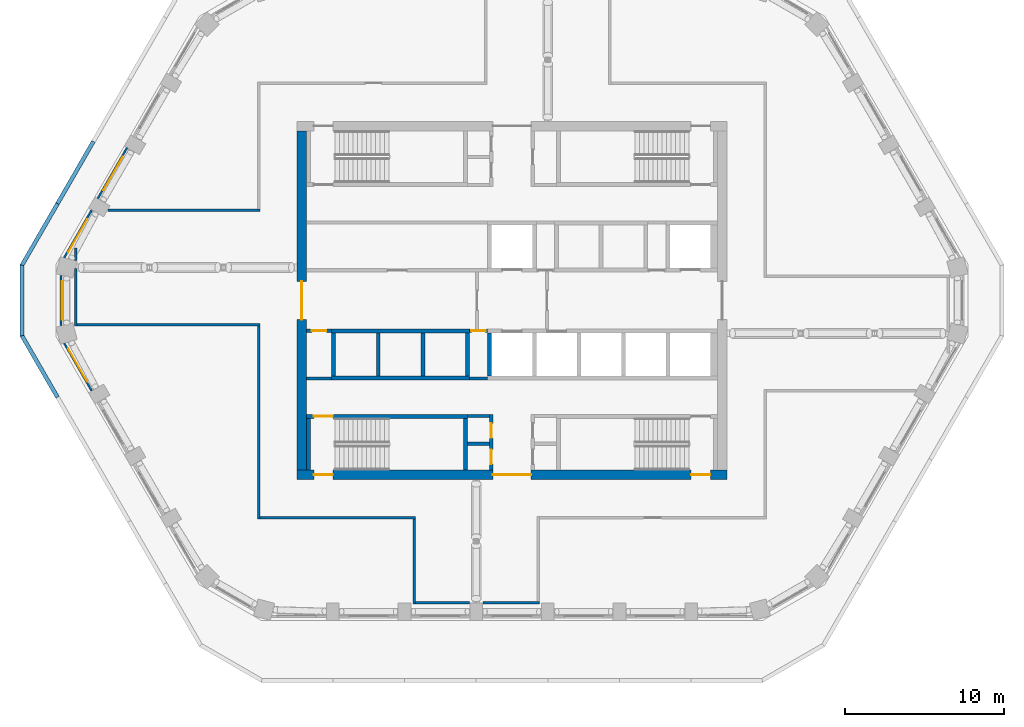
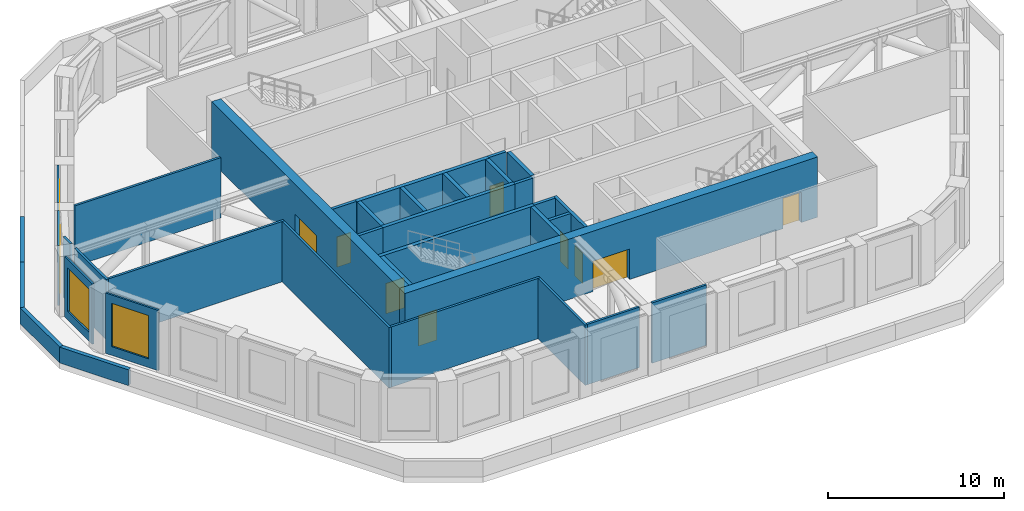
# One storey, part 6 of 15: 36 walls, 9 doors, 4 windows, 13 openings.
"""IFC4 building model written with IfcOpenShell, lengths in metres."""

from ifc_helpers import new_model, si_unit, direction, frame, frame_2d, origin, place, context, subcontext, project, spatial, polyline, rectangle, outline, extrude, material, layer, layer_set, type_object, element, fill, save


model = new_model("IFC4")

# Units and contexts
model_context = context("Model", 3, precision=1e-05, world=origin(), true_north=direction((0.0, 1.0)))
body_context = subcontext(model_context, "Body", "Model", "MODEL_VIEW")
ifc_project = project(units=[si_unit("LENGTHUNIT", "METRE"), si_unit("AREAUNIT", "SQUARE_METRE"), si_unit("VOLUMEUNIT", "CUBIC_METRE"), si_unit("PLANEANGLEUNIT", "RADIAN"), si_unit("MASSUNIT", "GRAM", prefix="KILO")], contexts=[model_context])

# Site, building, storey
site_placement = place(None, origin())
site = spatial("IfcSite", under=ifc_project, at=site_placement, CompositionType="ELEMENT")
building_placement = place(site_placement, origin())
building = spatial("IfcBuilding", under=site, at=building_placement, Name="Dhurran Vertical Campus", CompositionType="ELEMENT")
storey_placement = place(building_placement, frame((0.0, 0.0, 230.699951171875)))
storey = spatial("IfcBuildingStorey", under=building, at=storey_placement, Name="L57 Plant", CompositionType="ELEMENT", Elevation=230.699951171875)

# Wall, opening, window
ifc_material_1 = material(Name="Precast concrete C50/60", Category="concrete")
ifc_layer_1 = layer(ifc_material_1, 0.1201171875)
ifc_layer_set_1 = layer_set([ifc_layer_1], Name="Precast concrete C50/60")
wall_type_1 = type_object("IfcWallType", Name="Precast louvre-bay panel 120", PredefinedType="SOLIDWALL", material=ifc_layer_set_1)
wall_1_placement = place(storey_placement, frame((-24.169921875, 9.594970703125, 0.0), z_axis=(0.0, 0.0, 1.0), x_axis=(-0.500029062817, -0.866008623709, 0.0)))
wall_1 = element("IfcWall", 1, at=wall_1_placement, inside=storey, type_object=wall_type_1, Name="EW4 L57.28", PredefinedType="SOLIDWALL", context=body_context, shape_type="SweptSolid", body=[
    extrude(rectangle(XDim=3.698974609375, YDim=0.1201171875, at=frame_2d((1.849609375, 0.0))), origin(), (0.0, 0.0, 1.0), 4.175048828125),
])
opening_1_placement = place(wall_1_placement, frame((0.6494140625, 0.0, 0.60009765625)))
opening_1 = element("IfcOpeningElement", 2, at=opening_1_placement, cuts=wall_1, Name="Opening WT4", PredefinedType="OPENING", context=body_context, shape_type="SweptSolid", body=[
    extrude(rectangle(XDim=2.39990234375, YDim=3.0, at=frame_2d((1.199951171875, 1.5))), frame((0.0, 0.070068359375, 0.0), z_axis=(0.0, -1.0, 0.0), x_axis=(1.0, 0.0, 0.0)), (0.0, 0.0, 1.0), 0.14013671875),
])
ifc_material_2 = material(Name="Aluminium louvre", Category="aluminium")
window_type = type_object("IfcWindowType", Name="Louvred plant vent 2400 x 3000", PartitioningType="SINGLE_PANEL", PredefinedType="WINDOW", material=ifc_material_2)
window_1_placement = place(opening_1_placement, origin())
window_1 = element("IfcWindow", 3, at=window_1_placement, inside=storey, type_object=window_type, Name="WT4 L57.28", OverallHeight=3.0, OverallWidth=2.39990234375, PartitioningType="SINGLE_PANEL", PredefinedType="WINDOW", context=body_context, shape_type="SweptSolid", body=[
    extrude(rectangle(XDim=2.39990234375, YDim=3.0, at=frame_2d((1.199951171875, 1.5))), frame((0.0, 0.06005859375, 0.0), z_axis=(0.0, -1.0, 0.0), x_axis=(1.0, 0.0, 0.0)), (0.0, 0.0, 1.0), 0.02001953125),
])
fill(opening_1, window_1)

wall_2_placement = place(storey_placement, frame((-26.3916015625, 5.681396484375, 0.0), z_axis=(0.0, 0.0, 1.0), x_axis=(-0.500020560727, -0.866013532718, 0.0)))
wall_2 = element("IfcWall", 4, at=wall_2_placement, inside=storey, type_object=wall_type_1, Name="EW4 L57.29", PredefinedType="SOLIDWALL", context=body_context, shape_type="SweptSolid", body=[
    extrude(rectangle(XDim=3.449951171875, YDim=0.1201171875, at=frame_2d((1.72509765625, 0.0))), origin(), (0.0, 0.0, 1.0), 4.175048828125),
])
opening_2_placement = place(wall_2_placement, frame((0.6494140625, 0.0, 0.60009765625)))
opening_2 = element("IfcOpeningElement", 5, at=opening_2_placement, cuts=wall_2, Name="Opening WT4", PredefinedType="OPENING", context=body_context, shape_type="SweptSolid", body=[
    extrude(rectangle(XDim=2.39990234375, YDim=3.0, at=frame_2d((1.199951171875, 1.5))), frame((0.0, 0.070068359375, 0.0), z_axis=(0.0, -1.0, 0.0), x_axis=(1.0, 0.0, 0.0)), (0.0, 0.0, 1.0), 0.14013671875),
])
window_2_placement = place(opening_2_placement, origin())
window_2 = element("IfcWindow", 6, at=window_2_placement, inside=storey, type_object=window_type, Name="WT4 L57.29", OverallHeight=3.0, OverallWidth=2.39990234375, PartitioningType="SINGLE_PANEL", PredefinedType="WINDOW", context=body_context, shape_type="SweptSolid", body=[
    extrude(rectangle(XDim=2.39990234375, YDim=3.0, at=frame_2d((1.199951171875, 1.5))), frame((0.0, 0.06005859375, 0.0), z_axis=(0.0, -1.0, 0.0), x_axis=(1.0, 0.0, 0.0)), (0.0, 0.0, 1.0), 0.02001953125),
])
fill(opening_2, window_2)

wall_3_placement = place(storey_placement, frame((-28.318603515625, 1.576416015625, 0.0), z_axis=(0.0, 0.0, 1.0), x_axis=(0.0, -1.0, 0.0)))
wall_3 = element("IfcWall", 7, at=wall_3_placement, inside=storey, type_object=wall_type_1, Name="EW4 L57.30", PredefinedType="SOLIDWALL", context=body_context, shape_type="SweptSolid", body=[
    extrude(rectangle(XDim=3.15283203125, YDim=0.1201171875, at=frame_2d((1.576416015625, 0.0))), origin(), (0.0, 0.0, 1.0), 4.175048828125),
])
opening_3_placement = place(wall_3_placement, frame((0.376220703125, 0.0, 0.60009765625)))
opening_3 = element("IfcOpeningElement", 8, at=opening_3_placement, cuts=wall_3, Name="Opening WT4", PredefinedType="OPENING", context=body_context, shape_type="SweptSolid", body=[
    extrude(rectangle(XDim=2.39990234375, YDim=3.0, at=frame_2d((1.199951171875, 1.5))), frame((0.0, 0.070068359375, 0.0), z_axis=(0.0, -1.0, 0.0), x_axis=(1.0, 0.0, 0.0)), (0.0, 0.0, 1.0), 0.14013671875),
])
window_3_placement = place(opening_3_placement, origin())
window_3 = element("IfcWindow", 9, at=window_3_placement, inside=storey, type_object=window_type, Name="WT4 L57.30", OverallHeight=3.0, OverallWidth=2.39990234375, PartitioningType="SINGLE_PANEL", PredefinedType="WINDOW", context=body_context, shape_type="SweptSolid", body=[
    extrude(rectangle(XDim=2.39990234375, YDim=3.0, at=frame_2d((1.199951171875, 1.5))), frame((0.0, 0.06005859375, 0.0), z_axis=(0.0, -1.0, 0.0), x_axis=(1.0, 0.0, 0.0)), (0.0, 0.0, 1.0), 0.02001953125),
])
fill(opening_3, window_3)

wall_4_placement = place(storey_placement, frame((-28.11669921875, -2.693603515625, 0.0), z_axis=(0.0, 0.0, 1.0), x_axis=(0.500020560727, -0.866013532718, 0.0)))
wall_4 = element("IfcWall", 10, at=wall_4_placement, inside=storey, type_object=wall_type_1, Name="EW4 L57.31", PredefinedType="SOLIDWALL", context=body_context, shape_type="SweptSolid", body=[
    extrude(rectangle(XDim=3.449951171875, YDim=0.1201171875, at=frame_2d((1.72509765625, 0.0))), origin(), (0.0, 0.0, 1.0), 4.175048828125),
])
opening_4_placement = place(wall_4_placement, frame((0.400634765625, 0.0, 0.60009765625)))
opening_4 = element("IfcOpeningElement", 11, at=opening_4_placement, cuts=wall_4, Name="Opening WT4", PredefinedType="OPENING", context=body_context, shape_type="SweptSolid", body=[
    extrude(rectangle(XDim=2.39990234375, YDim=3.0, at=frame_2d((1.199951171875, 1.5))), frame((0.0, 0.070068359375, 0.0), z_axis=(0.0, -1.0, 0.0), x_axis=(1.0, 0.0, 0.0)), (0.0, 0.0, 1.0), 0.14013671875),
])
window_4_placement = place(opening_4_placement, origin())
window_4 = element("IfcWindow", 12, at=window_4_placement, inside=storey, type_object=window_type, Name="WT4 L57.31", OverallHeight=3.0, OverallWidth=2.39990234375, PartitioningType="SINGLE_PANEL", PredefinedType="WINDOW", context=body_context, shape_type="SweptSolid", body=[
    extrude(rectangle(XDim=2.39990234375, YDim=3.0, at=frame_2d((1.199951171875, 1.5))), frame((0.0, 0.06005859375, 0.0), z_axis=(0.0, -1.0, 0.0), x_axis=(1.0, 0.0, 0.0)), (0.0, 0.0, 1.0), 0.02001953125),
])
fill(opening_4, window_4)

# Walls
ifc_material_3 = material(Name="Precast concrete C50/60", Category="concrete")
ifc_layer_2 = layer(ifc_material_3, 0.25)
ifc_layer_set_2 = layer_set([ifc_layer_2], Name="Precast concrete C50/60")
wall_type_2 = type_object("IfcWallType", Name="Precast parapet 250", PredefinedType="PARAPET", material=ifc_layer_set_2)
wall_5_placement = place(storey_placement, origin())
element("IfcWall", 13, at=wall_5_placement, inside=storey, type_object=wall_type_2, Name="PW1 L57.31", PredefinedType="PARAPET", context=body_context, shape_type="SweptSolid", body=[
    extrude(outline(polyline([(-26.397216796875, 10.044189453125), (-28.647216796875, 6.147216796875), (-28.4306640625, 6.022216796875), (-26.1806640625, 9.919189453125), (-26.397216796875, 10.044189453125)])), origin(), (0.0, 0.0, 1.0), 1.10009765625),
])
wall_6_placement = place(storey_placement, origin())
element("IfcWall", 14, at=wall_6_placement, inside=storey, type_object=wall_type_2, Name="PW1 L57.32", PredefinedType="PARAPET", context=body_context, shape_type="SweptSolid", body=[
    extrude(outline(polyline([(-28.647216796875, 6.147216796875), (-30.897216796875, 2.25), (-30.647216796875, 2.18310546875), (-28.4306640625, 6.022216796875), (-28.647216796875, 6.147216796875)])), origin(), (0.0, 0.0, 1.0), 1.10009765625),
])
wall_7_placement = place(storey_placement, origin())
element("IfcWall", 15, at=wall_7_placement, inside=storey, type_object=wall_type_2, Name="PW1 L57.33", PredefinedType="PARAPET", context=body_context, shape_type="SweptSolid", body=[
    extrude(outline(polyline([(-30.897216796875, 2.25), (-30.897216796875, -2.25), (-30.647216796875, -2.18310546875), (-30.647216796875, 2.18310546875), (-30.897216796875, 2.25)])), origin(), (0.0, 0.0, 1.0), 1.10009765625),
])
wall_8_placement = place(storey_placement, origin())
element("IfcWall", 16, at=wall_8_placement, inside=storey, type_object=wall_type_2, Name="PW1 L57.34", PredefinedType="PARAPET", context=body_context, shape_type="SweptSolid", body=[
    extrude(outline(polyline([(-30.897216796875, -2.25), (-28.647216796875, -6.147216796875), (-28.4306640625, -6.022216796875), (-30.647216796875, -2.18310546875), (-30.897216796875, -2.25)])), origin(), (0.0, 0.0, 1.0), 1.10009765625),
])

# Wall, openings, doors
ifc_material_4 = material(Name="Concrete C50/60", Category="concrete")
ifc_layer_3 = layer(ifc_material_4, 0.60009765625)
ifc_layer_set_3 = layer_set([ifc_layer_3], Name="Concrete C50/60")
wall_type_3 = type_object("IfcWallType", Name="co-CORE-WALL-C2-600", PredefinedType="SHEAR", material=ifc_layer_set_3)
wall_9_placement = place(storey_placement, frame((-13.5, -10.949951171875, 0.0), z_axis=(0.0, 0.0, 1.0), x_axis=(1.0, 0.0, 0.0)))
wall_9 = element("IfcWall", 17, at=wall_9_placement, inside=storey, type_object=wall_type_3, Name="Core wall S L57", PredefinedType="SHEAR", context=body_context, shape_type="SweptSolid", body=[
    extrude(rectangle(XDim=27.0, YDim=0.60009765625, at=frame_2d((13.5, 0.0))), origin(), (0.0, 0.0, 1.0), 4.175048828125),
])
opening_5_placement = place(wall_9_placement, frame((12.300048828125, 0.0, 0.0)))
opening_5 = element("IfcOpeningElement", 18, at=opening_5_placement, cuts=wall_9, Name="Opening CV2", PredefinedType="OPENING", context=body_context, shape_type="SweptSolid", body=[
    extrude(rectangle(XDim=2.39990234375, YDim=2.10009765625, at=frame_2d((1.199951171875, 1.050048828125))), frame((0.0, 0.31005859375, 0.0), z_axis=(0.0, -1.0, 0.0), x_axis=(1.0, 0.0, 0.0)), (0.0, 0.0, 1.0), 0.6201171875),
])
opening_6_placement = place(wall_9_placement, frame((1.050048828125, 0.0, 0.0)))
opening_6 = element("IfcOpeningElement", 19, at=opening_6_placement, cuts=wall_9, Name="Opening XD3", PredefinedType="OPENING", context=body_context, shape_type="SweptSolid", body=[
    extrude(rectangle(XDim=1.199951171875, YDim=2.10009765625, at=frame_2d((0.60009765625, 1.050048828125))), frame((0.0, 0.31005859375, 0.0), z_axis=(0.0, -1.0, 0.0), x_axis=(1.0, 0.0, 0.0)), (0.0, 0.0, 1.0), 0.6201171875),
])
opening_7_placement = place(wall_9_placement, frame((24.75, 0.0, 0.0)))
opening_7 = element("IfcOpeningElement", 20, at=opening_7_placement, cuts=wall_9, Name="Opening XD4", PredefinedType="OPENING", context=body_context, shape_type="SweptSolid", body=[
    extrude(rectangle(XDim=1.199951171875, YDim=2.10009765625, at=frame_2d((0.60009765625, 1.050048828125))), frame((0.0, 0.31005859375, 0.0), z_axis=(0.0, -1.0, 0.0), x_axis=(1.0, 0.0, 0.0)), (0.0, 0.0, 1.0), 0.6201171875),
])
ifc_material_5 = material(Name="Fire-rated glazed door set")
door_type_1 = type_object("IfcDoorType", Name="co-D-LOBBY 2400x2100", OperationType="DOUBLE_DOOR_DOUBLE_SWING", PredefinedType="DOOR", material=ifc_material_5)
door_1_placement = place(opening_5_placement, origin())
door_1 = element("IfcDoor", 21, at=door_1_placement, inside=storey, type_object=door_type_1, Name="Core vestibule door S L57", OperationType="DOUBLE_DOOR_DOUBLE_SWING", OverallHeight=2.10009765625, OverallWidth=2.39990234375, PredefinedType="DOOR", context=body_context, shape_type="SweptSolid", body=[
    extrude(rectangle(XDim=2.39990234375, YDim=2.10009765625, at=frame_2d((1.199951171875, 1.050048828125))), frame((0.0, 0.02490234375, 0.0), z_axis=(0.0, -1.0, 0.0), x_axis=(1.0, 0.0, 0.0)), (0.0, 0.0, 1.0), 0.050048828125),
])
fill(opening_5, door_1)
ifc_material_6 = material(Name="Fire-rated steel door set", Category="steel")
door_type_2 = type_object("IfcDoorType", Name="co-D-STAIR-EXIT 1200x2100", OperationType="SINGLE_SWING_RIGHT", PredefinedType="DOOR", material=ifc_material_6)
door_2_placement = place(opening_6_placement, origin())
door_2 = element("IfcDoor", 22, at=door_2_placement, inside=storey, type_object=door_type_2, Name="Stair ST3 exit door L57", OperationType="SINGLE_SWING_RIGHT", OverallHeight=2.10009765625, OverallWidth=1.199951171875, PredefinedType="DOOR", context=body_context, shape_type="SweptSolid", body=[
    extrude(rectangle(XDim=1.199951171875, YDim=2.10009765625, at=frame_2d((0.60009765625, 1.050048828125))), frame((0.0, 0.02490234375, 0.0), z_axis=(0.0, -1.0, 0.0), x_axis=(1.0, 0.0, 0.0)), (0.0, 0.0, 1.0), 0.050048828125),
])
fill(opening_6, door_2)
door_3_placement = place(opening_7_placement, origin())
door_3 = element("IfcDoor", 23, at=door_3_placement, inside=storey, type_object=door_type_2, Name="Stair ST4 exit door L57", OperationType="SINGLE_SWING_RIGHT", OverallHeight=2.10009765625, OverallWidth=1.199951171875, PredefinedType="DOOR", context=body_context, shape_type="SweptSolid", body=[
    extrude(rectangle(XDim=1.199951171875, YDim=2.10009765625, at=frame_2d((0.60009765625, 1.050048828125))), frame((0.0, 0.02490234375, 0.0), z_axis=(0.0, -1.0, 0.0), x_axis=(1.0, 0.0, 0.0)), (0.0, 0.0, 1.0), 0.050048828125),
])
fill(opening_7, door_3)

# Wall, opening, door
wall_10_placement = place(storey_placement, frame((-13.199951171875, -10.64990234375, 0.0), z_axis=(0.0, 0.0, 1.0), x_axis=(0.0, 1.0, 0.0)))
wall_10 = element("IfcWall", 24, at=wall_10_placement, inside=storey, type_object=wall_type_3, Name="Core wall W L57", PredefinedType="SHEAR", context=body_context, shape_type="SweptSolid", body=[
    extrude(rectangle(XDim=21.2998046875, YDim=0.60009765625, at=frame_2d((10.64990234375, 0.0))), origin(), (0.0, 0.0, 1.0), 4.175048828125),
])
opening_8_placement = place(wall_10_placement, frame((9.449951171875, 0.0, 0.0)))
opening_8 = element("IfcOpeningElement", 25, at=opening_8_placement, cuts=wall_10, Name="Opening CL1", PredefinedType="OPENING", context=body_context, shape_type="SweptSolid", body=[
    extrude(rectangle(XDim=2.39990234375, YDim=2.10009765625, at=frame_2d((1.199951171875, 1.050048828125))), frame((0.0, 0.31005859375, 0.0), z_axis=(0.0, -1.0, 0.0), x_axis=(1.0, 0.0, 0.0)), (0.0, 0.0, 1.0), 0.6201171875),
])
door_4_placement = place(opening_8_placement, origin())
door_4 = element("IfcDoor", 26, at=door_4_placement, inside=storey, type_object=door_type_1, Name="Lift lobby door W L57", OperationType="DOUBLE_DOOR_DOUBLE_SWING", OverallHeight=2.10009765625, OverallWidth=2.39990234375, PredefinedType="DOOR", context=body_context, shape_type="SweptSolid", body=[
    extrude(rectangle(XDim=2.39990234375, YDim=2.10009765625, at=frame_2d((1.199951171875, 1.050048828125))), frame((0.0, 0.02490234375, 0.0), z_axis=(0.0, -1.0, 0.0), x_axis=(1.0, 0.0, 0.0)), (0.0, 0.0, 1.0), 0.050048828125),
])
fill(opening_8, door_4)

# Walls
ifc_material_7 = material(Name="Fire-rated masonry blockwork", Category="masonry")
ifc_layer_4 = layer(ifc_material_7, 0.199951171875)
ifc_layer_set_4 = layer_set([ifc_layer_4], Name="Fire-rated masonry blockwork")
wall_type_4 = type_object("IfcWallType", Name="co-FIRE-PARTITION-200", PredefinedType="PARTITIONING", material=ifc_layer_set_4)
for number, where, z_axis, x_axis, name in (
    (27, (-2.800048828125, -7.25, 0.0), (0.0, 0.0, 1.0), (1.0, 0.0, 0.0), "Core partition sl-SW-S L57"),
    (28, (-2.800048828125, -9.0, 0.0), (0.0, 0.0, 1.0), (1.0, 0.0, 0.0), "Core partition sl-SW-cut0 L57"),
):
    element("IfcWall", number, at=place(storey_placement, frame(where, z_axis=z_axis, x_axis=x_axis)), inside=storey, type_object=wall_type_4, Name=name, PredefinedType="PARTITIONING", context=body_context, shape_type="SweptSolid", body=[
        extrude(rectangle(XDim=1.400146484375, YDim=0.199951171875, at=frame_2d((0.7001953125, 0.0))), origin(), (0.0, 0.0, 1.0), 4.175048828125),
    ])

# Wall, openings, doors
wall_11_placement = place(storey_placement, frame((-1.300048828125, -10.64990234375, 0.0), z_axis=(0.0, 0.0, 1.0), x_axis=(0.0, 1.0, 0.0)))
wall_11 = element("IfcWall", 29, at=wall_11_placement, inside=storey, type_object=wall_type_4, Name="Core partition vest-SW L57", PredefinedType="PARTITIONING", context=body_context, shape_type="SweptSolid", body=[
    extrude(rectangle(XDim=3.5, YDim=0.199951171875, at=frame_2d((1.75, 0.0))), origin(), (0.0, 0.0, 1.0), 4.175048828125),
])
opening_9_placement = place(wall_11_placement, frame((0.375, 0.0, 0.0)))
opening_9 = element("IfcOpeningElement", 30, at=opening_9_placement, cuts=wall_11, Name="Opening BR57-C1", PredefinedType="OPENING", context=body_context, shape_type="SweptSolid", body=[
    extrude(rectangle(XDim=0.89990234375, YDim=2.10009765625, at=frame_2d((0.449951171875, 1.050048828125))), frame((0.0, 0.10986328125, 0.0), z_axis=(0.0, -1.0, 0.0), x_axis=(1.0, 0.0, 0.0)), (0.0, 0.0, 1.0), 0.219970703125),
])
opening_10_placement = place(wall_11_placement, frame((2.02490234375, 0.0, 0.0)))
opening_10 = element("IfcOpeningElement", 31, at=opening_10_placement, cuts=wall_11, Name="Opening BR57-C2", PredefinedType="OPENING", context=body_context, shape_type="SweptSolid", body=[
    extrude(rectangle(XDim=0.89990234375, YDim=2.10009765625, at=frame_2d((0.449951171875, 1.050048828125))), frame((0.0, 0.10986328125, 0.0), z_axis=(0.0, -1.0, 0.0), x_axis=(1.0, 0.0, 0.0)), (0.0, 0.0, 1.0), 0.219970703125),
])
ifc_material_8 = material(Name="Fire-rated timber door set", Category="wood")
door_type_3 = type_object("IfcDoorType", Name="co-D-ROOM 900x2100", OperationType="SINGLE_SWING_LEFT", PredefinedType="DOOR", material=ifc_material_8)
door_5_placement = place(opening_9_placement, origin())
door_5 = element("IfcDoor", 32, at=door_5_placement, inside=storey, type_object=door_type_3, Name="Pump room door L57", OperationType="SINGLE_SWING_LEFT", OverallHeight=2.10009765625, OverallWidth=0.89990234375, PredefinedType="DOOR", context=body_context, shape_type="SweptSolid", body=[
    extrude(rectangle(XDim=0.89990234375, YDim=2.10009765625, at=frame_2d((0.449951171875, 1.050048828125))), frame((0.0, 0.02490234375, 0.0), z_axis=(0.0, -1.0, 0.0), x_axis=(1.0, 0.0, 0.0)), (0.0, 0.0, 1.0), 0.050048828125),
])
fill(opening_9, door_5)
door_6_placement = place(opening_10_placement, origin())
door_6 = element("IfcDoor", 33, at=door_6_placement, inside=storey, type_object=door_type_3, Name="Heat exchanger plant room door L57", OperationType="SINGLE_SWING_LEFT", OverallHeight=2.10009765625, OverallWidth=0.89990234375, PredefinedType="DOOR", context=body_context, shape_type="SweptSolid", body=[
    extrude(rectangle(XDim=0.89990234375, YDim=2.10009765625, at=frame_2d((0.449951171875, 1.050048828125))), frame((0.0, 0.02490234375, 0.0), z_axis=(0.0, -1.0, 0.0), x_axis=(1.0, 0.0, 0.0)), (0.0, 0.0, 1.0), 0.050048828125),
])
fill(opening_10, door_6)

# Wall, opening, door
wall_12_placement = place(storey_placement, frame((-12.89990234375, -1.89990234375, 0.0), z_axis=(0.0, 0.0, 1.0), x_axis=(1.0, 0.0, 0.0)))
wall_12 = element("IfcWall", 34, at=wall_12_placement, inside=storey, type_object=wall_type_4, Name="Core partition fr-S0-f L57", PredefinedType="PARTITIONING", context=body_context, shape_type="SweptSolid", body=[
    extrude(rectangle(XDim=1.574951171875, YDim=0.199951171875, at=frame_2d((0.78759765625, 0.0))), origin(), (0.0, 0.0, 1.0), 4.175048828125),
])
opening_11_placement = place(wall_12_placement, frame((0.33740234375, 0.0, 0.0)))
opening_11 = element("IfcOpeningElement", 35, at=opening_11_placement, cuts=wall_12, Name="Opening BR57-C11", PredefinedType="OPENING", context=body_context, shape_type="SweptSolid", body=[
    extrude(rectangle(XDim=0.89990234375, YDim=2.10009765625, at=frame_2d((0.449951171875, 1.050048828125))), frame((0.0, 0.10986328125, 0.0), z_axis=(0.0, -1.0, 0.0), x_axis=(1.0, 0.0, 0.0)), (0.0, 0.0, 1.0), 0.219970703125),
])
door_7_placement = place(opening_11_placement, origin())
door_7 = element("IfcDoor", 36, at=door_7_placement, inside=storey, type_object=door_type_3, Name="Water riser door L57", OperationType="SINGLE_SWING_LEFT", OverallHeight=2.10009765625, OverallWidth=0.89990234375, PredefinedType="DOOR", context=body_context, shape_type="SweptSolid", body=[
    extrude(rectangle(XDim=0.89990234375, YDim=2.10009765625, at=frame_2d((0.449951171875, 1.050048828125))), frame((0.0, 0.02490234375, 0.0), z_axis=(0.0, -1.0, 0.0), x_axis=(1.0, 0.0, 0.0)), (0.0, 0.0, 1.0), 0.050048828125),
])
fill(opening_11, door_7)

# Wall
wall_13_placement = place(storey_placement, frame((-12.89990234375, -4.89990234375, 0.0), z_axis=(0.0, 0.0, 1.0), x_axis=(1.0, 0.0, 0.0)))
element("IfcWall", 37, at=wall_13_placement, inside=storey, type_object=wall_type_4, Name="Core partition fr-S0-b L57", PredefinedType="PARTITIONING", context=body_context, shape_type="SweptSolid", body=[
    extrude(rectangle(XDim=1.574951171875, YDim=0.199951171875, at=frame_2d((0.78759765625, 0.0))), origin(), (0.0, 0.0, 1.0), 4.175048828125),
])

# Wall, opening, door
wall_14_placement = place(storey_placement, frame((-2.675048828125, -1.89990234375, 0.0), z_axis=(0.0, 0.0, 1.0), x_axis=(1.0, 0.0, 0.0)))
wall_14 = element("IfcWall", 38, at=wall_14_placement, inside=storey, type_object=wall_type_4, Name="Core partition fr-S1-f L57", PredefinedType="PARTITIONING", context=body_context, shape_type="SweptSolid", body=[
    extrude(rectangle(XDim=1.150146484375, YDim=0.199951171875, at=frame_2d((0.5751953125, 0.0))), origin(), (0.0, 0.0, 1.0), 4.175048828125),
])
opening_12_placement = place(wall_14_placement, frame((0.125, 0.0, 0.0)))
opening_12 = element("IfcOpeningElement", 39, at=opening_12_placement, cuts=wall_14, Name="Opening BR57-C12", PredefinedType="OPENING", context=body_context, shape_type="SweptSolid", body=[
    extrude(rectangle(XDim=0.89990234375, YDim=2.10009765625, at=frame_2d((0.449951171875, 1.050048828125))), frame((0.0, 0.10986328125, 0.0), z_axis=(0.0, -1.0, 0.0), x_axis=(1.0, 0.0, 0.0)), (0.0, 0.0, 1.0), 0.219970703125),
])
door_8_placement = place(opening_12_placement, origin())
door_8 = element("IfcDoor", 40, at=door_8_placement, inside=storey, type_object=door_type_3, Name="Communications riser door L57", OperationType="SINGLE_SWING_LEFT", OverallHeight=2.10009765625, OverallWidth=0.89990234375, PredefinedType="DOOR", context=body_context, shape_type="SweptSolid", body=[
    extrude(rectangle(XDim=0.89990234375, YDim=2.10009765625, at=frame_2d((0.449951171875, 1.050048828125))), frame((0.0, 0.02490234375, 0.0), z_axis=(0.0, -1.0, 0.0), x_axis=(1.0, 0.0, 0.0)), (0.0, 0.0, 1.0), 0.050048828125),
])
fill(opening_12, door_8)

# Walls
wall_15_placement = place(storey_placement, frame((-2.675048828125, -4.89990234375, 0.0), z_axis=(0.0, 0.0, 1.0), x_axis=(1.0, 0.0, 0.0)))
element("IfcWall", 41, at=wall_15_placement, inside=storey, type_object=wall_type_4, Name="Core partition fr-S1-b L57", PredefinedType="PARTITIONING", context=body_context, shape_type="SweptSolid", body=[
    extrude(rectangle(XDim=1.150146484375, YDim=0.199951171875, at=frame_2d((0.5751953125, 0.0))), origin(), (0.0, 0.0, 1.0), 4.175048828125),
])
ifc_material_9 = material(Name="Concrete C50/60", Category="concrete")
ifc_layer_5 = layer(ifc_material_9, 0.25)
ifc_layer_set_5 = layer_set([ifc_layer_5], Name="Concrete C50/60")
wall_type_5 = type_object("IfcWallType", Name="co-SHAFT-FRONT-250", PredefinedType="SHEAR", material=ifc_layer_set_5)
wall_16_placement = place(storey_placement, frame((-11.324951171875, -1.925048828125, 0.0), z_axis=(0.0, 0.0, 1.0), x_axis=(1.0, 0.0, 0.0)))
element("IfcWall", 42, at=wall_16_placement, inside=storey, type_object=wall_type_5, Name="Lift landing wall S L57", PredefinedType="SHEAR", context=body_context, shape_type="SweptSolid", body=[
    extrude(rectangle(XDim=8.64990234375, YDim=0.25, at=frame_2d((4.324951171875, 0.0))), origin(), (0.0, 0.0, 1.0), 4.175048828125),
])
ifc_material_10 = material(Name="Concrete C50/60", Category="concrete")
ifc_layer_6 = layer(ifc_material_10, 0.25)
ifc_layer_set_6 = layer_set([ifc_layer_6], Name="Concrete C50/60")
wall_type_6 = type_object("IfcWallType", Name="co-SHAFT-MASS-250", PredefinedType="SHEAR", material=ifc_layer_set_6)
wall_17_placement = place(storey_placement, origin())
element("IfcWall", 43, at=wall_17_placement, inside=storey, type_object=wall_type_6, Name="Lift shaft wall S L57 1", PredefinedType="SHEAR", context=body_context, shape_type="SweptSolid", body=[
    extrude(outline(polyline([(-11.324951171875, -5.0), (-2.675048828125, -5.0), (-2.675048828125, -4.75), (-11.324951171875, -4.75), (-11.324951171875, -5.0)])), origin(), (0.0, 0.0, 1.0), 4.175048828125),
])
wall_18_placement = place(storey_placement, origin())
element("IfcWall", 44, at=wall_18_placement, inside=storey, type_object=wall_type_6, Name="Lift shaft wall S L57 3", PredefinedType="SHEAR", context=body_context, shape_type="SweptSolid", body=[
    extrude(outline(polyline([(-11.324951171875, -4.75), (-11.074951171875, -4.75), (-11.074951171875, -2.050048828125), (-11.324951171875, -2.050048828125), (-11.324951171875, -4.75)])), origin(), (0.0, 0.0, 1.0), 4.175048828125),
])
wall_19_placement = place(storey_placement, origin())
element("IfcWall", 45, at=wall_19_placement, inside=storey, type_object=wall_type_6, Name="Lift shaft wall S L57 4", PredefinedType="SHEAR", context=body_context, shape_type="SweptSolid", body=[
    extrude(outline(polyline([(-8.52490234375, -4.75), (-8.27490234375, -4.75), (-8.27490234375, -2.050048828125), (-8.52490234375, -2.050048828125), (-8.52490234375, -4.75)])), origin(), (0.0, 0.0, 1.0), 4.175048828125),
])
wall_20_placement = place(storey_placement, origin())
element("IfcWall", 46, at=wall_20_placement, inside=storey, type_object=wall_type_6, Name="Lift shaft wall S L57 5", PredefinedType="SHEAR", context=body_context, shape_type="SweptSolid", body=[
    extrude(outline(polyline([(-5.72509765625, -4.75), (-5.47509765625, -4.75), (-5.47509765625, -2.050048828125), (-5.72509765625, -2.050048828125), (-5.72509765625, -4.75)])), origin(), (0.0, 0.0, 1.0), 4.175048828125),
])
wall_21_placement = place(storey_placement, origin())
element("IfcWall", 47, at=wall_21_placement, inside=storey, type_object=wall_type_6, Name="Lift shaft wall S L57 6", PredefinedType="SHEAR", context=body_context, shape_type="SweptSolid", body=[
    extrude(outline(polyline([(-2.925048828125, -4.75), (-2.675048828125, -4.75), (-2.675048828125, -2.050048828125), (-2.925048828125, -2.050048828125), (-2.925048828125, -4.75)])), origin(), (0.0, 0.0, 1.0), 4.175048828125),
])
wall_22_placement = place(storey_placement, origin())
element("IfcWall", 48, at=wall_22_placement, inside=storey, type_object=wall_type_6, Name="Lift shaft wall S L57 7", PredefinedType="SHEAR", context=body_context, shape_type="SweptSolid", body=[
    extrude(outline(polyline([(-1.52490234375, -4.75), (-1.27490234375, -4.75), (-1.27490234375, -2.050048828125), (-1.52490234375, -2.050048828125), (-1.52490234375, -4.75)])), origin(), (0.0, 0.0, 1.0), 4.175048828125),
])

# Wall, opening, door
ifc_material_11 = material(Name="Concrete C40/50", Category="concrete")
ifc_layer_7 = layer(ifc_material_11, 0.25)
ifc_layer_set_7 = layer_set([ifc_layer_7], Name="Concrete C40/50")
wall_type_7 = type_object("IfcWallType", Name="co-STAIR-WALL-250", PredefinedType="SHEAR", material=ifc_layer_set_7)
wall_23_placement = place(storey_placement, frame((-12.89990234375, -7.27490234375, 0.0), z_axis=(0.0, 0.0, 1.0), x_axis=(1.0, 0.0, 0.0)))
wall_23 = element("IfcWall", 49, at=wall_23_placement, inside=storey, type_object=wall_type_7, Name="Stair ST3 enclosure wall L57", PredefinedType="SHEAR", context=body_context, shape_type="SweptSolid", body=[
    extrude(rectangle(XDim=10.099853515625, YDim=0.25, at=frame_2d((5.0498046875, 0.0))), origin(), (0.0, 0.0, 1.0), 4.175048828125),
])
opening_13_placement = place(wall_23_placement, frame((0.449951171875, 0.0, 0.0)))
opening_13 = element("IfcOpeningElement", 50, at=opening_13_placement, cuts=wall_23, Name="Opening SD3", PredefinedType="OPENING", context=body_context, shape_type="SweptSolid", body=[
    extrude(rectangle(XDim=1.199951171875, YDim=2.10009765625, at=frame_2d((0.60009765625, 1.050048828125))), frame((0.0, 0.135009765625, 0.0), z_axis=(0.0, -1.0, 0.0), x_axis=(1.0, 0.0, 0.0)), (0.0, 0.0, 1.0), 0.27001953125),
])
ifc_material_12 = material(Name="Fire-rated steel door set", Category="steel")
door_type_4 = type_object("IfcDoorType", Name="co-D-STAIR 1200x2100", OperationType="SINGLE_SWING_LEFT", PredefinedType="DOOR", material=ifc_material_12)
door_9_placement = place(opening_13_placement, origin())
door_9 = element("IfcDoor", 51, at=door_9_placement, inside=storey, type_object=door_type_4, Name="Stair ST3 door L57", OperationType="SINGLE_SWING_LEFT", OverallHeight=2.10009765625, OverallWidth=1.199951171875, PredefinedType="DOOR", context=body_context, shape_type="SweptSolid", body=[
    extrude(rectangle(XDim=1.199951171875, YDim=2.10009765625, at=frame_2d((0.60009765625, 1.050048828125))), frame((0.0, 0.02490234375, 0.0), z_axis=(0.0, -1.0, 0.0), x_axis=(1.0, 0.0, 0.0)), (0.0, 0.0, 1.0), 0.050048828125),
])
fill(opening_13, door_9)

# Walls
for number, where, z_axis, x_axis, name in (
    (52, (-12.77490234375, -10.64990234375, 0.0), (0.0, 0.0, 1.0), (0.0, 1.0, 0.0), "Stair ST3 enclosure wall L57"),
    (53, (-2.925048828125, -10.64990234375, 0.0), (0.0, 0.0, 1.0), (0.0, 1.0, 0.0), "Stair ST3 enclosure wall L57"),
):
    element("IfcWall", number, at=place(storey_placement, frame(where, z_axis=z_axis, x_axis=x_axis)), inside=storey, type_object=wall_type_7, Name=name, PredefinedType="SHEAR", context=body_context, shape_type="SweptSolid", body=[
        extrude(rectangle(XDim=3.25, YDim=0.25, at=frame_2d((1.625, 0.0))), origin(), (0.0, 0.0, 1.0), 4.175048828125),
    ])
ifc_material_13 = material(Name="Gypsum board corridor wall on steel studs", Category="steel")
ifc_layer_8 = layer(ifc_material_13, 0.14990234375)
ifc_layer_set_8 = layer_set([ifc_layer_8], Name="Gypsum board corridor wall on steel studs")
wall_type_8 = type_object("IfcWallType", Name="fl-CW-150 corridor wall", PredefinedType="PARTITIONING", material=ifc_layer_set_8)
wall_24_placement = place(storey_placement, frame((-27.404052734375, -1.60498046875, 0.0), z_axis=(0.0, 0.0, 1.0), x_axis=(0.0, 1.0, 0.0)))
element("IfcWall", 54, at=wall_24_placement, inside=storey, type_object=wall_type_8, Name="Partition 57-01", PredefinedType="PARTITIONING", context=body_context, shape_type="SweptSolid", body=[
    extrude(rectangle(XDim=3.59765625, YDim=0.14990234375, at=frame_2d((1.798828125, 0.0))), origin(), (0.0, 0.0, 1.0), 4.175048828125),
])
wall_25_placement = place(storey_placement, frame((-27.404052734375, 2.507080078125, 0.0), z_axis=(0.0, 0.0, 1.0), x_axis=(0.0, 1.0, 0.0)))
element("IfcWall", 55, at=wall_25_placement, inside=storey, type_object=wall_type_8, Name="Partition 57-02", PredefinedType="PARTITIONING", context=body_context, shape_type="SweptSolid", body=[
    extrude(rectangle(XDim=0.7958984375, YDim=0.14990234375, at=frame_2d((0.39794921875, 0.0))), origin(), (0.0, 0.0, 1.0), 4.175048828125),
])
wall_26_placement = place(storey_placement, frame((-15.824951171875, -1.530029296875, 0.0), z_axis=(0.0, 0.0, 1.0), x_axis=(-1.0, 0.0, 0.0)))
element("IfcWall", 56, at=wall_26_placement, inside=storey, type_object=wall_type_8, Name="Partition 57-03", PredefinedType="PARTITIONING", context=body_context, shape_type="SweptSolid", body=[
    extrude(rectangle(XDim=11.504150390625, YDim=0.14990234375, at=frame_2d((5.751953125, 0.0))), origin(), (0.0, 0.0, 1.0), 4.175048828125),
])
wall_27_placement = place(storey_placement, frame((-25.3798828125, 5.6689453125, 0.0), z_axis=(0.0, 0.0, 1.0), x_axis=(1.0, 0.0, 0.0)))
element("IfcWall", 57, at=wall_27_placement, inside=storey, type_object=wall_type_8, Name="Partition 57-04", PredefinedType="PARTITIONING", context=body_context, shape_type="SweptSolid", body=[
    extrude(rectangle(XDim=9.554931640625, YDim=0.14990234375, at=frame_2d((4.77734375, 0.0))), origin(), (0.0, 0.0, 1.0), 4.175048828125),
])
wall_28_placement = place(storey_placement, frame((-15.89990234375, -1.60498046875, 0.0), z_axis=(0.0, 0.0, 1.0), x_axis=(0.0, -1.0, 0.0)))
element("IfcWall", 58, at=wall_28_placement, inside=storey, type_object=wall_type_8, Name="Partition 57-05", PredefinedType="PARTITIONING", context=body_context, shape_type="SweptSolid", body=[
    extrude(rectangle(XDim=12.1201171875, YDim=0.14990234375, at=frame_2d((6.06005859375, 0.0))), origin(), (0.0, 0.0, 1.0), 4.175048828125),
])
wall_29_placement = place(storey_placement, frame((-15.824951171875, -13.64990234375, 0.0), z_axis=(0.0, 0.0, 1.0), x_axis=(1.0, 0.0, 0.0)))
element("IfcWall", 59, at=wall_29_placement, inside=storey, type_object=wall_type_8, Name="Partition 57-06", PredefinedType="PARTITIONING", context=body_context, shape_type="SweptSolid", body=[
    extrude(rectangle(XDim=9.75, YDim=0.14990234375, at=frame_2d((4.875, 0.0))), origin(), (0.0, 0.0, 1.0), 4.175048828125),
])
wall_30_placement = place(storey_placement, frame((-6.14990234375, -19.06298828125, 0.0), z_axis=(0.0, 0.0, 1.0), x_axis=(0.0, 1.0, 0.0)))
element("IfcWall", 60, at=wall_30_placement, inside=storey, type_object=wall_type_8, Name="Partition 57-09", PredefinedType="PARTITIONING", context=body_context, shape_type="SweptSolid", body=[
    extrude(rectangle(XDim=5.337890625, YDim=0.14990234375, at=frame_2d((2.6689453125, 0.0))), origin(), (0.0, 0.0, 1.0), 4.175048828125),
])
wall_31_placement = place(storey_placement, frame((1.72509765625, -18.988037109375, 0.0), z_axis=(0.0, 0.0, 1.0), x_axis=(-1.0, 0.0, 0.0)))
element("IfcWall", 61, at=wall_31_placement, inside=storey, type_object=wall_type_8, Name="Partition 57-10", PredefinedType="PARTITIONING", context=body_context, shape_type="SweptSolid", body=[
    extrude(rectangle(XDim=3.55517578125, YDim=0.14990234375, at=frame_2d((1.777587890625, 0.0))), origin(), (0.0, 0.0, 1.0), 4.175048828125),
])
wall_32_placement = place(storey_placement, frame((-2.669921875, -18.988037109375, 0.0), z_axis=(0.0, 0.0, 1.0), x_axis=(-1.0, 0.0, 0.0)))
element("IfcWall", 62, at=wall_32_placement, inside=storey, type_object=wall_type_8, Name="Partition 57-11", PredefinedType="PARTITIONING", context=body_context, shape_type="SweptSolid", body=[
    extrude(rectangle(XDim=3.405029296875, YDim=0.14990234375, at=frame_2d((1.70263671875, 0.0))), origin(), (0.0, 0.0, 1.0), 4.175048828125),
])

save(model, "model.ifc")
